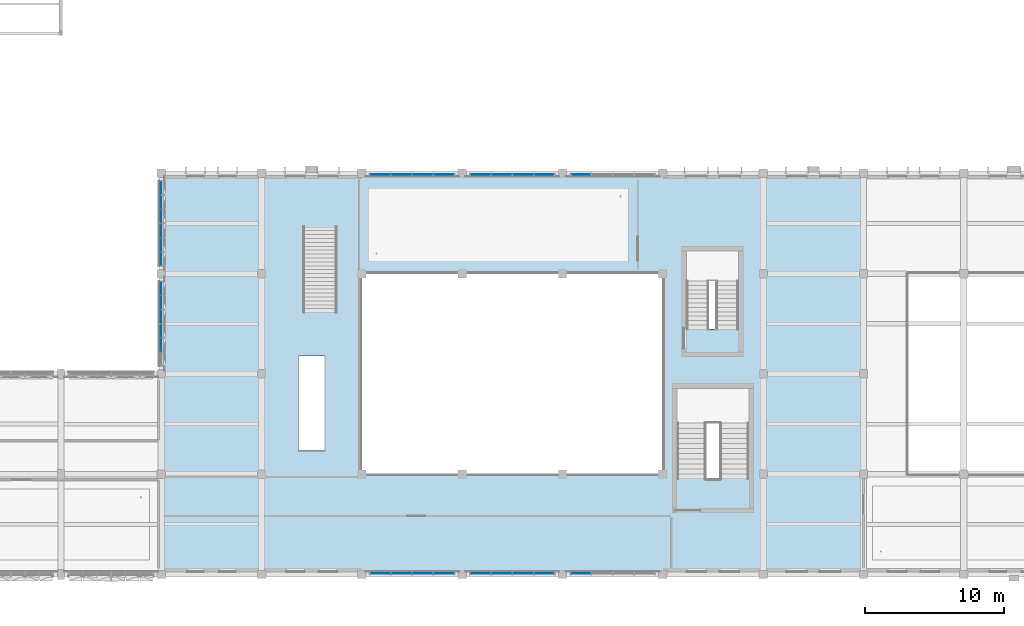
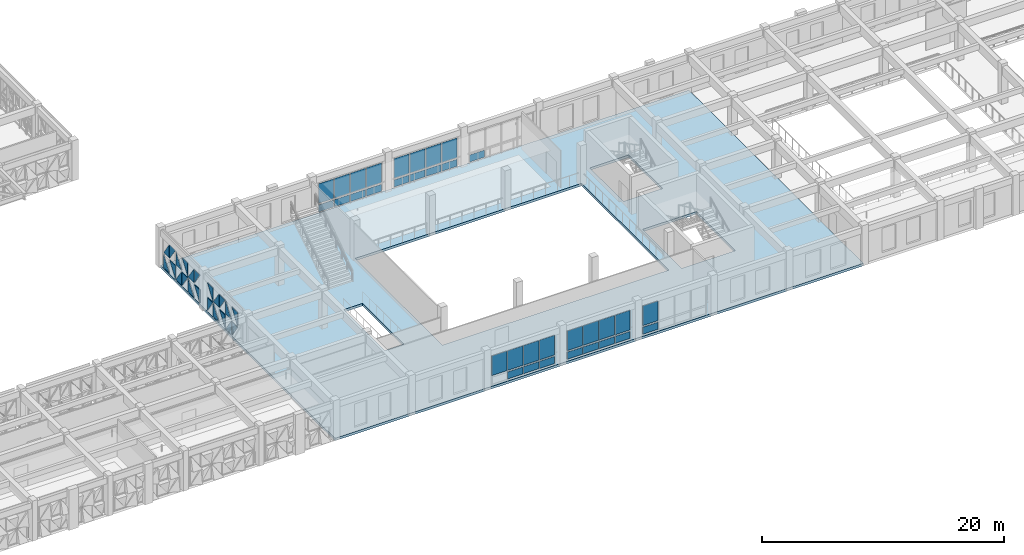
# One storey, part 36 of 88: 56 plates, 1 slab, 8 elements without a shape of their own.
"""IFC4 building model written with IfcOpenShell, lengths in metres."""

from ifc_helpers import new_model, si_unit, direction, frame, origin, origin_2d, place, context, subcontext, project, spatial, polyline, rectangle, outline, extrude, material, layer, layer_set, type_object, element, aggregate, save


model = new_model("IFC4")

# Units and contexts
model_context = context("Model", 3, precision=1e-05, world=origin(), true_north=direction((0.0, 1.0)))
body_context = subcontext(model_context, "Body", "Model", "MODEL_VIEW")
ifc_project = project(units=[si_unit("LENGTHUNIT", "METRE"), si_unit("AREAUNIT", "SQUARE_METRE"), si_unit("VOLUMEUNIT", "CUBIC_METRE"), si_unit("PLANEANGLEUNIT", "RADIAN"), si_unit("MASSUNIT", "GRAM", prefix="KILO")], contexts=[model_context])

# Site, building, storey
site_placement = place(None, origin())
site = spatial("IfcSite", under=ifc_project, at=site_placement, CompositionType="ELEMENT")
building_placement = place(site_placement, origin())
building = spatial("IfcBuilding", under=site, at=building_placement, Name="Alvorim Cloister Faculty of Sciences", CompositionType="ELEMENT")
storey_placement = place(building_placement, frame((0.0, 0.0, 4.5)))
storey = spatial("IfcBuildingStorey", under=building, at=storey_placement, Name="L01", CompositionType="ELEMENT", Elevation=4.5)

# Curtain wall, plates
ifc_material_1 = material(Name="Aluminium and Low-E Glass Curtain Wall", Category="aluminium")
curtain_wall_type_1 = type_object("IfcCurtainWallType", Name="CW-GLZ-6120x3170", PredefinedType="USERDEFINED", material=ifc_material_1)
curtain_wall_1_placement = place(storey_placement, origin())
curtain_wall_1 = element("IfcCurtainWall", 1, at=curtain_wall_1_placement, inside=storey, type_object=curtain_wall_type_1, Name="L01 Entrance and Atrium Glazed Curtain Wall CW-0035", ObjectType="UNITISED CURTAIN WALL", PredefinedType="USERDEFINED")
ifc_material_2 = material(Name="Double Low-E Laminated Glass", Category="glass")
ifc_layer_1 = layer(ifc_material_2, 0.031982421875)
ifc_layer_set_1 = layer_set([ifc_layer_1], Name="Double Low-E Laminated Glass")
plate_type_1 = type_object("IfcPlateType", Name="PN-GLZ-32", PredefinedType="CURTAIN_PANEL", material=ifc_layer_set_1)
plate_1_placement = place(storey_placement, frame((87.7236328125, 28.7099609375, 0.159912109375), z_axis=(0.0, 0.0, 1.0), x_axis=(1.0, 0.0, 0.0)))
plate_1 = element("IfcPlate", 2, at=plate_1_placement, type_object=plate_type_1, Name="CW-04 panel 1.1", PredefinedType="CURTAIN_PANEL", context=body_context, shape_type="SweptSolid", body=[
    extrude(rectangle(XDim=1.41748046875, YDim=0.031982421875, at=origin_2d()), origin(), (0.0, 0.0, 1.0), 0.7099609375),
])
plate_2_placement = place(storey_placement, frame((87.7236328125, 28.7099609375, 1.030029296875), z_axis=(0.0, 0.0, 1.0), x_axis=(1.0, 0.0, 0.0)))
plate_2 = element("IfcPlate", 3, at=plate_2_placement, type_object=plate_type_1, Name="CW-04 panel 1.2", PredefinedType="CURTAIN_PANEL", context=body_context, shape_type="SweptSolid", body=[
    extrude(rectangle(XDim=1.41748046875, YDim=0.031982421875, at=origin_2d()), origin(), (0.0, 0.0, 1.0), 1.97998046875),
])
plate_3_placement = place(storey_placement, frame((89.235107421875, 28.7099609375, 0.159912109375), z_axis=(0.0, 0.0, 1.0), x_axis=(1.0, 0.0, 0.0)))
plate_3 = element("IfcPlate", 4, at=plate_3_placement, type_object=plate_type_1, Name="CW-04 panel 2.1", PredefinedType="CURTAIN_PANEL", context=body_context, shape_type="SweptSolid", body=[
    extrude(rectangle(XDim=1.455078125, YDim=0.031982421875, at=origin_2d()), origin(), (0.0, 0.0, 1.0), 0.7099609375),
])
plate_4_placement = place(storey_placement, frame((89.235107421875, 28.7099609375, 1.030029296875), z_axis=(0.0, 0.0, 1.0), x_axis=(1.0, 0.0, 0.0)))
plate_4 = element("IfcPlate", 5, at=plate_4_placement, type_object=plate_type_1, Name="CW-04 panel 2.2", PredefinedType="CURTAIN_PANEL", context=body_context, shape_type="SweptSolid", body=[
    extrude(rectangle(XDim=1.455078125, YDim=0.031982421875, at=origin_2d()), origin(), (0.0, 0.0, 1.0), 1.97998046875),
])
plate_5_placement = place(storey_placement, frame((90.764892578125, 28.7099609375, 0.159912109375), z_axis=(0.0, 0.0, 1.0), x_axis=(1.0, 0.0, 0.0)))
plate_5 = element("IfcPlate", 6, at=plate_5_placement, type_object=plate_type_1, Name="CW-04 panel 3.1", PredefinedType="CURTAIN_PANEL", context=body_context, shape_type="SweptSolid", body=[
    extrude(rectangle(XDim=1.455078125, YDim=0.031982421875, at=origin_2d()), origin(), (0.0, 0.0, 1.0), 0.7099609375),
])
plate_6_placement = place(storey_placement, frame((90.764892578125, 28.7099609375, 1.030029296875), z_axis=(0.0, 0.0, 1.0), x_axis=(1.0, 0.0, 0.0)))
plate_6 = element("IfcPlate", 7, at=plate_6_placement, type_object=plate_type_1, Name="CW-04 panel 3.2", PredefinedType="CURTAIN_PANEL", context=body_context, shape_type="SweptSolid", body=[
    extrude(rectangle(XDim=1.455078125, YDim=0.031982421875, at=origin_2d()), origin(), (0.0, 0.0, 1.0), 1.97998046875),
])
plate_7_placement = place(storey_placement, frame((92.2763671875, 28.7099609375, 0.159912109375), z_axis=(0.0, 0.0, 1.0), x_axis=(1.0, 0.0, 0.0)))
plate_7 = element("IfcPlate", 8, at=plate_7_placement, type_object=plate_type_1, Name="CW-04 panel 4.1", PredefinedType="CURTAIN_PANEL", context=body_context, shape_type="SweptSolid", body=[
    extrude(rectangle(XDim=1.41748046875, YDim=0.031982421875, at=origin_2d()), origin(), (0.0, 0.0, 1.0), 0.7099609375),
])
plate_8_placement = place(storey_placement, frame((92.2763671875, 28.7099609375, 1.030029296875), z_axis=(0.0, 0.0, 1.0), x_axis=(1.0, 0.0, 0.0)))
plate_8 = element("IfcPlate", 9, at=plate_8_placement, type_object=plate_type_1, Name="CW-04 panel 4.2", PredefinedType="CURTAIN_PANEL", context=body_context, shape_type="SweptSolid", body=[
    extrude(rectangle(XDim=1.41748046875, YDim=0.031982421875, at=origin_2d()), origin(), (0.0, 0.0, 1.0), 1.97998046875),
])
aggregate(curtain_wall_1, [plate_1, plate_2, plate_3, plate_4, plate_5, plate_6, plate_7, plate_8])

curtain_wall_2_placement = place(storey_placement, origin())
curtain_wall_2 = element("IfcCurtainWall", 10, at=curtain_wall_2_placement, inside=storey, type_object=curtain_wall_type_1, Name="L01 Entrance and Atrium Glazed Curtain Wall CW-0038", ObjectType="UNITISED CURTAIN WALL", PredefinedType="USERDEFINED")
plate_9_placement = place(storey_placement, frame((87.7236328125, 0.090087890625, 0.159912109375), z_axis=(0.0, 0.0, 1.0), x_axis=(1.0, 0.0, 0.0)))
plate_9 = element("IfcPlate", 11, at=plate_9_placement, type_object=plate_type_1, Name="CW-04 panel 1.1", PredefinedType="CURTAIN_PANEL", context=body_context, shape_type="SweptSolid", body=[
    extrude(rectangle(XDim=1.41748046875, YDim=0.031982421875, at=origin_2d()), origin(), (0.0, 0.0, 1.0), 0.7099609375),
])
plate_10_placement = place(storey_placement, frame((87.7236328125, 0.090087890625, 1.030029296875), z_axis=(0.0, 0.0, 1.0), x_axis=(1.0, 0.0, 0.0)))
plate_10 = element("IfcPlate", 12, at=plate_10_placement, type_object=plate_type_1, Name="CW-04 panel 1.2", PredefinedType="CURTAIN_PANEL", context=body_context, shape_type="SweptSolid", body=[
    extrude(rectangle(XDim=1.41748046875, YDim=0.031982421875, at=origin_2d()), origin(), (0.0, 0.0, 1.0), 1.97998046875),
])
plate_11_placement = place(storey_placement, frame((89.235107421875, 0.090087890625, 0.159912109375), z_axis=(0.0, 0.0, 1.0), x_axis=(1.0, 0.0, 0.0)))
plate_11 = element("IfcPlate", 13, at=plate_11_placement, type_object=plate_type_1, Name="CW-04 panel 2.1", PredefinedType="CURTAIN_PANEL", context=body_context, shape_type="SweptSolid", body=[
    extrude(rectangle(XDim=1.455078125, YDim=0.031982421875, at=origin_2d()), origin(), (0.0, 0.0, 1.0), 0.7099609375),
])
plate_12_placement = place(storey_placement, frame((89.235107421875, 0.090087890625, 1.030029296875), z_axis=(0.0, 0.0, 1.0), x_axis=(1.0, 0.0, 0.0)))
plate_12 = element("IfcPlate", 14, at=plate_12_placement, type_object=plate_type_1, Name="CW-04 panel 2.2", PredefinedType="CURTAIN_PANEL", context=body_context, shape_type="SweptSolid", body=[
    extrude(rectangle(XDim=1.455078125, YDim=0.031982421875, at=origin_2d()), origin(), (0.0, 0.0, 1.0), 1.97998046875),
])
plate_13_placement = place(storey_placement, frame((90.764892578125, 0.090087890625, 0.159912109375), z_axis=(0.0, 0.0, 1.0), x_axis=(1.0, 0.0, 0.0)))
plate_13 = element("IfcPlate", 15, at=plate_13_placement, type_object=plate_type_1, Name="CW-04 panel 3.1", PredefinedType="CURTAIN_PANEL", context=body_context, shape_type="SweptSolid", body=[
    extrude(rectangle(XDim=1.455078125, YDim=0.031982421875, at=origin_2d()), origin(), (0.0, 0.0, 1.0), 0.7099609375),
])
plate_14_placement = place(storey_placement, frame((90.764892578125, 0.090087890625, 1.030029296875), z_axis=(0.0, 0.0, 1.0), x_axis=(1.0, 0.0, 0.0)))
plate_14 = element("IfcPlate", 16, at=plate_14_placement, type_object=plate_type_1, Name="CW-04 panel 3.2", PredefinedType="CURTAIN_PANEL", context=body_context, shape_type="SweptSolid", body=[
    extrude(rectangle(XDim=1.455078125, YDim=0.031982421875, at=origin_2d()), origin(), (0.0, 0.0, 1.0), 1.97998046875),
])
plate_15_placement = place(storey_placement, frame((92.2763671875, 0.090087890625, 0.159912109375), z_axis=(0.0, 0.0, 1.0), x_axis=(1.0, 0.0, 0.0)))
plate_15 = element("IfcPlate", 17, at=plate_15_placement, type_object=plate_type_1, Name="CW-04 panel 4.1", PredefinedType="CURTAIN_PANEL", context=body_context, shape_type="SweptSolid", body=[
    extrude(rectangle(XDim=1.41748046875, YDim=0.031982421875, at=origin_2d()), origin(), (0.0, 0.0, 1.0), 0.7099609375),
])
plate_16_placement = place(storey_placement, frame((92.2763671875, 0.090087890625, 1.030029296875), z_axis=(0.0, 0.0, 1.0), x_axis=(1.0, 0.0, 0.0)))
plate_16 = element("IfcPlate", 18, at=plate_16_placement, type_object=plate_type_1, Name="CW-04 panel 4.2", PredefinedType="CURTAIN_PANEL", context=body_context, shape_type="SweptSolid", body=[
    extrude(rectangle(XDim=1.41748046875, YDim=0.031982421875, at=origin_2d()), origin(), (0.0, 0.0, 1.0), 1.97998046875),
])
aggregate(curtain_wall_2, [plate_9, plate_10, plate_11, plate_12, plate_13, plate_14, plate_15, plate_16])

curtain_wall_type_2 = type_object("IfcCurtainWallType", Name="CW-TRI-6120x3170", PredefinedType="USERDEFINED", material=ifc_material_1)
curtain_wall_3_placement = place(storey_placement, origin())
curtain_wall_3 = element("IfcCurtainWall", 19, at=curtain_wall_3_placement, inside=storey, type_object=curtain_wall_type_2, Name="L01 Diagonal Cassette Curtain Wall CW-0032", ObjectType="UNITISED CURTAIN WALL", PredefinedType="USERDEFINED")
ifc_layer_2 = layer(ifc_material_2, 0.0400390625)
ifc_layer_set_2 = layer_set([ifc_layer_2], Name="Double Low-E Laminated Glass")
plate_type_2 = type_object("IfcPlateType", Name="PN-GLZ-40", PredefinedType="CURTAIN_PANEL", material=ifc_layer_set_2)
plate_17_placement = place(storey_placement, frame((64.77490234375, 15.99755859375, 0.159912109375), z_axis=(0.0, 0.0, 1.0), x_axis=(0.0, 1.0, 0.0)))
plate_17 = element("IfcPlate", 20, at=plate_17_placement, type_object=plate_type_2, Name="Diagonal Glazed Triangle TRI-TR", PredefinedType="CURTAIN_PANEL", context=body_context, shape_type="SweptSolid", body=[
    extrude(outline(polyline([(0.945068359375, 0.001953125), (0.945068359375, 1.344970703125), (0.001953125, 1.344970703125), (0.945068359375, 0.001953125)])), frame((0.0, 0.02490234375, 0.0), z_axis=(0.0, -1.0, 0.0), x_axis=(1.0, 0.0, 0.0)), (0.0, 0.0, 1.0), 0.050048828125),
])
plate_18_placement = place(storey_placement, frame((64.77490234375, 15.99755859375, 1.6650390625), z_axis=(0.0, 0.0, 1.0), x_axis=(0.0, 1.0, 0.0)))
plate_18 = element("IfcPlate", 21, at=plate_18_placement, type_object=plate_type_2, Name="Diagonal Glazed Triangle TRI-TL", PredefinedType="CURTAIN_PANEL", context=body_context, shape_type="SweptSolid", body=[
    extrude(outline(polyline([(0.943115234375, 1.344970703125), (0.0, 1.344970703125), (0.0, 0.001953125), (0.943115234375, 1.344970703125)])), frame((0.0, 0.02490234375, 0.0), z_axis=(0.0, -1.0, 0.0), x_axis=(1.0, 0.0, 0.0)), (0.0, 0.0, 1.0), 0.050048828125),
])
plate_19_placement = place(storey_placement, frame((64.77490234375, 17.017578125, 0.159912109375), z_axis=(0.0, 0.0, 1.0), x_axis=(0.0, 1.0, 0.0)))
plate_19 = element("IfcPlate", 22, at=plate_19_placement, type_object=plate_type_2, Name="Diagonal Glazed Triangle TRI-BL", PredefinedType="CURTAIN_PANEL", context=body_context, shape_type="SweptSolid", body=[
    extrude(outline(polyline([(0.0, 0.0), (0.943115234375, 0.0), (0.0, 1.343017578125), (0.0, 0.0)])), frame((0.0, 0.02490234375, 0.0), z_axis=(0.0, -1.0, 0.0), x_axis=(1.0, 0.0, 0.0)), (0.0, 0.0, 1.0), 0.050048828125),
])
plate_20_placement = place(storey_placement, frame((64.77490234375, 17.017578125, 1.6650390625), z_axis=(0.0, 0.0, 1.0), x_axis=(0.0, 1.0, 0.0)))
plate_20 = element("IfcPlate", 23, at=plate_20_placement, type_object=plate_type_2, Name="Diagonal Glazed Triangle TRI-BR", PredefinedType="CURTAIN_PANEL", context=body_context, shape_type="SweptSolid", body=[
    extrude(outline(polyline([(0.001953125, 0.0), (0.945068359375, 0.0), (0.945068359375, 1.343017578125), (0.001953125, 0.0)])), frame((0.0, 0.02490234375, 0.0), z_axis=(0.0, -1.0, 0.0), x_axis=(1.0, 0.0, 0.0)), (0.0, 0.0, 1.0), 0.050048828125),
])
plate_21_placement = place(storey_placement, frame((64.77490234375, 18.03759765625, 0.159912109375), z_axis=(0.0, 0.0, 1.0), x_axis=(0.0, 1.0, 0.0)))
plate_21 = element("IfcPlate", 24, at=plate_21_placement, type_object=plate_type_2, Name="Diagonal Glazed Triangle TRI-TL", PredefinedType="CURTAIN_PANEL", context=body_context, shape_type="SweptSolid", body=[
    extrude(outline(polyline([(0.943115234375, 1.344970703125), (0.0, 1.344970703125), (0.0, 0.001953125), (0.943115234375, 1.344970703125)])), frame((0.0, 0.02490234375, 0.0), z_axis=(0.0, -1.0, 0.0), x_axis=(1.0, 0.0, 0.0)), (0.0, 0.0, 1.0), 0.050048828125),
])
plate_22_placement = place(storey_placement, frame((64.77490234375, 18.03759765625, 1.6650390625), z_axis=(0.0, 0.0, 1.0), x_axis=(0.0, 1.0, 0.0)))
plate_22 = element("IfcPlate", 25, at=plate_22_placement, type_object=plate_type_2, Name="Diagonal Glazed Triangle TRI-TR", PredefinedType="CURTAIN_PANEL", context=body_context, shape_type="SweptSolid", body=[
    extrude(outline(polyline([(0.945068359375, 0.001953125), (0.945068359375, 1.344970703125), (0.001953125, 1.344970703125), (0.945068359375, 0.001953125)])), frame((0.0, 0.02490234375, 0.0), z_axis=(0.0, -1.0, 0.0), x_axis=(1.0, 0.0, 0.0)), (0.0, 0.0, 1.0), 0.050048828125),
])
plate_23_placement = place(storey_placement, frame((64.77490234375, 19.0576171875, 0.159912109375), z_axis=(0.0, 0.0, 1.0), x_axis=(0.0, 1.0, 0.0)))
plate_23 = element("IfcPlate", 26, at=plate_23_placement, type_object=plate_type_2, Name="Diagonal Glazed Triangle TRI-BR", PredefinedType="CURTAIN_PANEL", context=body_context, shape_type="SweptSolid", body=[
    extrude(outline(polyline([(0.001953125, 0.0), (0.945068359375, 0.0), (0.945068359375, 1.343017578125), (0.001953125, 0.0)])), frame((0.0, 0.02490234375, 0.0), z_axis=(0.0, -1.0, 0.0), x_axis=(1.0, 0.0, 0.0)), (0.0, 0.0, 1.0), 0.050048828125),
])
plate_24_placement = place(storey_placement, frame((64.77490234375, 19.0576171875, 1.6650390625), z_axis=(0.0, 0.0, 1.0), x_axis=(0.0, 1.0, 0.0)))
plate_24 = element("IfcPlate", 27, at=plate_24_placement, type_object=plate_type_2, Name="Diagonal Glazed Triangle TRI-BL", PredefinedType="CURTAIN_PANEL", context=body_context, shape_type="SweptSolid", body=[
    extrude(outline(polyline([(0.0, 0.0), (0.943115234375, 0.0), (0.0, 1.343017578125), (0.0, 0.0)])), frame((0.0, 0.02490234375, 0.0), z_axis=(0.0, -1.0, 0.0), x_axis=(1.0, 0.0, 0.0)), (0.0, 0.0, 1.0), 0.050048828125),
])
plate_25_placement = place(storey_placement, frame((64.77490234375, 20.077392578125, 0.159912109375), z_axis=(0.0, 0.0, 1.0), x_axis=(0.0, 1.0, 0.0)))
plate_25 = element("IfcPlate", 28, at=plate_25_placement, type_object=plate_type_2, Name="Diagonal Glazed Triangle TRI-TR", PredefinedType="CURTAIN_PANEL", context=body_context, shape_type="SweptSolid", body=[
    extrude(outline(polyline([(0.907470703125, 0.001953125), (0.907470703125, 1.344970703125), (0.001953125, 1.344970703125), (0.907470703125, 0.001953125)])), frame((0.0, 0.02490234375, 0.0), z_axis=(0.0, -1.0, 0.0), x_axis=(1.0, 0.0, 0.0)), (0.0, 0.0, 1.0), 0.050048828125),
])
plate_26_placement = place(storey_placement, frame((64.77490234375, 20.077392578125, 1.6650390625), z_axis=(0.0, 0.0, 1.0), x_axis=(0.0, 1.0, 0.0)))
plate_26 = element("IfcPlate", 29, at=plate_26_placement, type_object=plate_type_2, Name="Diagonal Glazed Triangle TRI-TL", PredefinedType="CURTAIN_PANEL", context=body_context, shape_type="SweptSolid", body=[
    extrude(outline(polyline([(0.905517578125, 1.344970703125), (0.0, 1.344970703125), (0.0, 0.001953125), (0.905517578125, 1.344970703125)])), frame((0.0, 0.02490234375, 0.0), z_axis=(0.0, -1.0, 0.0), x_axis=(1.0, 0.0, 0.0)), (0.0, 0.0, 1.0), 0.050048828125),
])
aggregate(curtain_wall_3, [plate_17, plate_18, plate_19, plate_20, plate_21, plate_22, plate_23, plate_24, plate_25, plate_26])

curtain_wall_4_placement = place(storey_placement, origin())
curtain_wall_4 = element("IfcCurtainWall", 30, at=curtain_wall_4_placement, inside=storey, type_object=curtain_wall_type_2, Name="L01 Diagonal Cassette Curtain Wall CW-0033", ObjectType="UNITISED CURTAIN WALL", PredefinedType="USERDEFINED")
plate_27_placement = place(storey_placement, frame((64.77490234375, 22.215087890625, 0.159912109375), z_axis=(0.0, 0.0, 1.0), x_axis=(0.0, 1.0, 0.0)))
plate_27 = element("IfcPlate", 31, at=plate_27_placement, type_object=plate_type_2, Name="Diagonal Glazed Triangle TRI-TL", PredefinedType="CURTAIN_PANEL", context=body_context, shape_type="SweptSolid", body=[
    extrude(outline(polyline([(0.905517578125, 1.344970703125), (0.0, 1.344970703125), (0.0, 0.001953125), (0.905517578125, 1.344970703125)])), frame((0.0, 0.02490234375, 0.0), z_axis=(0.0, -1.0, 0.0), x_axis=(1.0, 0.0, 0.0)), (0.0, 0.0, 1.0), 0.050048828125),
])
plate_28_placement = place(storey_placement, frame((64.77490234375, 22.215087890625, 1.6650390625), z_axis=(0.0, 0.0, 1.0), x_axis=(0.0, 1.0, 0.0)))
plate_28 = element("IfcPlate", 32, at=plate_28_placement, type_object=plate_type_2, Name="Diagonal Glazed Triangle TRI-TR", PredefinedType="CURTAIN_PANEL", context=body_context, shape_type="SweptSolid", body=[
    extrude(outline(polyline([(0.907470703125, 0.001953125), (0.907470703125, 1.344970703125), (0.001953125, 1.344970703125), (0.907470703125, 0.001953125)])), frame((0.0, 0.02490234375, 0.0), z_axis=(0.0, -1.0, 0.0), x_axis=(1.0, 0.0, 0.0)), (0.0, 0.0, 1.0), 0.050048828125),
])
plate_29_placement = place(storey_placement, frame((64.77490234375, 23.197509765625, 0.159912109375), z_axis=(0.0, 0.0, 1.0), x_axis=(0.0, 1.0, 0.0)))
plate_29 = element("IfcPlate", 33, at=plate_29_placement, type_object=plate_type_2, Name="Diagonal Glazed Triangle TRI-BR", PredefinedType="CURTAIN_PANEL", context=body_context, shape_type="SweptSolid", body=[
    extrude(outline(polyline([(0.001953125, 0.0), (0.945068359375, 0.0), (0.945068359375, 1.343017578125), (0.001953125, 0.0)])), frame((0.0, 0.02490234375, 0.0), z_axis=(0.0, -1.0, 0.0), x_axis=(1.0, 0.0, 0.0)), (0.0, 0.0, 1.0), 0.050048828125),
])
plate_30_placement = place(storey_placement, frame((64.77490234375, 23.197509765625, 1.6650390625), z_axis=(0.0, 0.0, 1.0), x_axis=(0.0, 1.0, 0.0)))
plate_30 = element("IfcPlate", 34, at=plate_30_placement, type_object=plate_type_2, Name="Diagonal Glazed Triangle TRI-BL", PredefinedType="CURTAIN_PANEL", context=body_context, shape_type="SweptSolid", body=[
    extrude(outline(polyline([(0.0, 0.0), (0.943115234375, 0.0), (0.0, 1.343017578125), (0.0, 0.0)])), frame((0.0, 0.02490234375, 0.0), z_axis=(0.0, -1.0, 0.0), x_axis=(1.0, 0.0, 0.0)), (0.0, 0.0, 1.0), 0.050048828125),
])
plate_31_placement = place(storey_placement, frame((64.77490234375, 24.217529296875, 0.159912109375), z_axis=(0.0, 0.0, 1.0), x_axis=(0.0, 1.0, 0.0)))
plate_31 = element("IfcPlate", 35, at=plate_31_placement, type_object=plate_type_2, Name="Diagonal Glazed Triangle TRI-TR", PredefinedType="CURTAIN_PANEL", context=body_context, shape_type="SweptSolid", body=[
    extrude(outline(polyline([(0.945068359375, 0.001953125), (0.945068359375, 1.344970703125), (0.001953125, 1.344970703125), (0.945068359375, 0.001953125)])), frame((0.0, 0.02490234375, 0.0), z_axis=(0.0, -1.0, 0.0), x_axis=(1.0, 0.0, 0.0)), (0.0, 0.0, 1.0), 0.050048828125),
])
plate_32_placement = place(storey_placement, frame((64.77490234375, 24.217529296875, 1.6650390625), z_axis=(0.0, 0.0, 1.0), x_axis=(0.0, 1.0, 0.0)))
plate_32 = element("IfcPlate", 36, at=plate_32_placement, type_object=plate_type_2, Name="Diagonal Glazed Triangle TRI-TL", PredefinedType="CURTAIN_PANEL", context=body_context, shape_type="SweptSolid", body=[
    extrude(outline(polyline([(0.943115234375, 1.344970703125), (0.0, 1.344970703125), (0.0, 0.001953125), (0.943115234375, 1.344970703125)])), frame((0.0, 0.02490234375, 0.0), z_axis=(0.0, -1.0, 0.0), x_axis=(1.0, 0.0, 0.0)), (0.0, 0.0, 1.0), 0.050048828125),
])
plate_33_placement = place(storey_placement, frame((64.77490234375, 25.237548828125, 0.159912109375), z_axis=(0.0, 0.0, 1.0), x_axis=(0.0, 1.0, 0.0)))
plate_33 = element("IfcPlate", 37, at=plate_33_placement, type_object=plate_type_2, Name="Diagonal Glazed Triangle TRI-BL", PredefinedType="CURTAIN_PANEL", context=body_context, shape_type="SweptSolid", body=[
    extrude(outline(polyline([(0.0, 0.0), (0.943115234375, 0.0), (0.0, 1.343017578125), (0.0, 0.0)])), frame((0.0, 0.02490234375, 0.0), z_axis=(0.0, -1.0, 0.0), x_axis=(1.0, 0.0, 0.0)), (0.0, 0.0, 1.0), 0.050048828125),
])
plate_34_placement = place(storey_placement, frame((64.77490234375, 25.237548828125, 1.6650390625), z_axis=(0.0, 0.0, 1.0), x_axis=(0.0, 1.0, 0.0)))
plate_34 = element("IfcPlate", 38, at=plate_34_placement, type_object=plate_type_2, Name="Diagonal Glazed Triangle TRI-BR", PredefinedType="CURTAIN_PANEL", context=body_context, shape_type="SweptSolid", body=[
    extrude(outline(polyline([(0.001953125, 0.0), (0.945068359375, 0.0), (0.945068359375, 1.343017578125), (0.001953125, 0.0)])), frame((0.0, 0.02490234375, 0.0), z_axis=(0.0, -1.0, 0.0), x_axis=(1.0, 0.0, 0.0)), (0.0, 0.0, 1.0), 0.050048828125),
])
plate_35_placement = place(storey_placement, frame((64.77490234375, 26.257568359375, 0.159912109375), z_axis=(0.0, 0.0, 1.0), x_axis=(0.0, 1.0, 0.0)))
plate_35 = element("IfcPlate", 39, at=plate_35_placement, type_object=plate_type_2, Name="Diagonal Glazed Triangle TRI-TL", PredefinedType="CURTAIN_PANEL", context=body_context, shape_type="SweptSolid", body=[
    extrude(outline(polyline([(0.943115234375, 1.344970703125), (0.0, 1.344970703125), (0.0, 0.001953125), (0.943115234375, 1.344970703125)])), frame((0.0, 0.02490234375, 0.0), z_axis=(0.0, -1.0, 0.0), x_axis=(1.0, 0.0, 0.0)), (0.0, 0.0, 1.0), 0.050048828125),
])
plate_36_placement = place(storey_placement, frame((64.77490234375, 26.257568359375, 1.6650390625), z_axis=(0.0, 0.0, 1.0), x_axis=(0.0, 1.0, 0.0)))
plate_36 = element("IfcPlate", 40, at=plate_36_placement, type_object=plate_type_2, Name="Diagonal Glazed Triangle TRI-TR", PredefinedType="CURTAIN_PANEL", context=body_context, shape_type="SweptSolid", body=[
    extrude(outline(polyline([(0.945068359375, 0.001953125), (0.945068359375, 1.344970703125), (0.001953125, 1.344970703125), (0.945068359375, 0.001953125)])), frame((0.0, 0.02490234375, 0.0), z_axis=(0.0, -1.0, 0.0), x_axis=(1.0, 0.0, 0.0)), (0.0, 0.0, 1.0), 0.050048828125),
])
plate_37_placement = place(storey_placement, frame((64.77490234375, 27.277587890625, 0.159912109375), z_axis=(0.0, 0.0, 1.0), x_axis=(0.0, 1.0, 0.0)))
plate_37 = element("IfcPlate", 41, at=plate_37_placement, type_object=plate_type_2, Name="Diagonal Glazed Triangle TRI-BR", PredefinedType="CURTAIN_PANEL", context=body_context, shape_type="SweptSolid", body=[
    extrude(outline(polyline([(0.001953125, 0.0), (0.907470703125, 0.0), (0.907470703125, 1.343017578125), (0.001953125, 0.0)])), frame((0.0, 0.02490234375, 0.0), z_axis=(0.0, -1.0, 0.0), x_axis=(1.0, 0.0, 0.0)), (0.0, 0.0, 1.0), 0.050048828125),
])
plate_38_placement = place(storey_placement, frame((64.77490234375, 27.277587890625, 1.6650390625), z_axis=(0.0, 0.0, 1.0), x_axis=(0.0, 1.0, 0.0)))
plate_38 = element("IfcPlate", 42, at=plate_38_placement, type_object=plate_type_2, Name="Diagonal Glazed Triangle TRI-BL", PredefinedType="CURTAIN_PANEL", context=body_context, shape_type="SweptSolid", body=[
    extrude(outline(polyline([(0.0, 0.0), (0.905517578125, 0.0), (0.0, 1.343017578125), (0.0, 0.0)])), frame((0.0, 0.02490234375, 0.0), z_axis=(0.0, -1.0, 0.0), x_axis=(1.0, 0.0, 0.0)), (0.0, 0.0, 1.0), 0.050048828125),
])
aggregate(curtain_wall_4, [plate_27, plate_28, plate_29, plate_30, plate_31, plate_32, plate_33, plate_34, plate_35, plate_36, plate_37, plate_38])

curtain_wall_5_placement = place(storey_placement, origin())
curtain_wall_5 = element("IfcCurtainWall", 43, at=curtain_wall_5_placement, inside=storey, type_object=curtain_wall_type_1, Name="L01 Entrance and Atrium Glazed Curtain Wall CW-0034", ObjectType="UNITISED CURTAIN WALL", PredefinedType="USERDEFINED")
plate_39_placement = place(storey_placement, frame((80.523681640625, 28.7099609375, 0.159912109375), z_axis=(0.0, 0.0, 1.0), x_axis=(1.0, 0.0, 0.0)))
plate_39 = element("IfcPlate", 44, at=plate_39_placement, type_object=plate_type_2, Name="CW-04 panel 1.1", PredefinedType="CURTAIN_PANEL", context=body_context, shape_type="SweptSolid", body=[
    extrude(rectangle(XDim=1.41748046875, YDim=0.0400390625, at=origin_2d()), origin(), (0.0, 0.0, 1.0), 0.7099609375),
])
plate_40_placement = place(storey_placement, frame((80.523681640625, 28.7099609375, 1.030029296875), z_axis=(0.0, 0.0, 1.0), x_axis=(1.0, 0.0, 0.0)))
plate_40 = element("IfcPlate", 45, at=plate_40_placement, type_object=plate_type_2, Name="CW-04 panel 1.2", PredefinedType="CURTAIN_PANEL", context=body_context, shape_type="SweptSolid", body=[
    extrude(rectangle(XDim=1.41748046875, YDim=0.0400390625, at=origin_2d()), origin(), (0.0, 0.0, 1.0), 1.97998046875),
])
plate_41_placement = place(storey_placement, frame((82.034912109375, 28.7099609375, 0.159912109375), z_axis=(0.0, 0.0, 1.0), x_axis=(1.0, 0.0, 0.0)))
plate_41 = element("IfcPlate", 46, at=plate_41_placement, type_object=plate_type_2, Name="CW-04 panel 2.1", PredefinedType="CURTAIN_PANEL", context=body_context, shape_type="SweptSolid", body=[
    extrude(rectangle(XDim=1.455078125, YDim=0.0400390625, at=origin_2d()), origin(), (0.0, 0.0, 1.0), 0.7099609375),
])
plate_42_placement = place(storey_placement, frame((82.034912109375, 28.7099609375, 1.030029296875), z_axis=(0.0, 0.0, 1.0), x_axis=(1.0, 0.0, 0.0)))
plate_42 = element("IfcPlate", 47, at=plate_42_placement, type_object=plate_type_2, Name="CW-04 panel 2.2", PredefinedType="CURTAIN_PANEL", context=body_context, shape_type="SweptSolid", body=[
    extrude(rectangle(XDim=1.455078125, YDim=0.0400390625, at=origin_2d()), origin(), (0.0, 0.0, 1.0), 1.97998046875),
])
plate_43_placement = place(storey_placement, frame((83.56494140625, 28.7099609375, 0.159912109375), z_axis=(0.0, 0.0, 1.0), x_axis=(1.0, 0.0, 0.0)))
plate_43 = element("IfcPlate", 48, at=plate_43_placement, type_object=plate_type_2, Name="CW-04 panel 3.1", PredefinedType="CURTAIN_PANEL", context=body_context, shape_type="SweptSolid", body=[
    extrude(rectangle(XDim=1.455078125, YDim=0.0400390625, at=origin_2d()), origin(), (0.0, 0.0, 1.0), 0.7099609375),
])
plate_44_placement = place(storey_placement, frame((83.56494140625, 28.7099609375, 1.030029296875), z_axis=(0.0, 0.0, 1.0), x_axis=(1.0, 0.0, 0.0)))
plate_44 = element("IfcPlate", 49, at=plate_44_placement, type_object=plate_type_2, Name="CW-04 panel 3.2", PredefinedType="CURTAIN_PANEL", context=body_context, shape_type="SweptSolid", body=[
    extrude(rectangle(XDim=1.455078125, YDim=0.0400390625, at=origin_2d()), origin(), (0.0, 0.0, 1.0), 1.97998046875),
])
plate_45_placement = place(storey_placement, frame((85.076171875, 28.7099609375, 0.159912109375), z_axis=(0.0, 0.0, 1.0), x_axis=(1.0, 0.0, 0.0)))
plate_45 = element("IfcPlate", 50, at=plate_45_placement, type_object=plate_type_2, Name="CW-04 panel 4.1", PredefinedType="CURTAIN_PANEL", context=body_context, shape_type="SweptSolid", body=[
    extrude(rectangle(XDim=1.41748046875, YDim=0.0400390625, at=origin_2d()), origin(), (0.0, 0.0, 1.0), 0.7099609375),
])
plate_46_placement = place(storey_placement, frame((85.076171875, 28.7099609375, 1.030029296875), z_axis=(0.0, 0.0, 1.0), x_axis=(1.0, 0.0, 0.0)))
plate_46 = element("IfcPlate", 51, at=plate_46_placement, type_object=plate_type_2, Name="CW-04 panel 4.2", PredefinedType="CURTAIN_PANEL", context=body_context, shape_type="SweptSolid", body=[
    extrude(rectangle(XDim=1.41748046875, YDim=0.0400390625, at=origin_2d()), origin(), (0.0, 0.0, 1.0), 1.97998046875),
])
aggregate(curtain_wall_5, [plate_39, plate_40, plate_41, plate_42, plate_43, plate_44, plate_45, plate_46])

# Curtain wall, plate
curtain_wall_6_placement = place(storey_placement, origin())
curtain_wall_6 = element("IfcCurtainWall", 52, at=curtain_wall_6_placement, inside=storey, type_object=curtain_wall_type_1, Name="L01 Entrance and Atrium Glazed Curtain Wall CW-0036", ObjectType="UNITISED CURTAIN WALL", PredefinedType="USERDEFINED")
plate_47_placement = place(storey_placement, frame((94.923828125, 28.7099609375, 0.159912109375), z_axis=(0.0, 0.0, 1.0), x_axis=(1.0, 0.0, 0.0)))
plate_47 = element("IfcPlate", 53, at=plate_47_placement, type_object=plate_type_2, Name="CW-04 panel 1.1", PredefinedType="CURTAIN_PANEL", context=body_context, shape_type="SweptSolid", body=[
    extrude(rectangle(XDim=1.41748046875, YDim=0.0400390625, at=origin_2d()), origin(), (0.0, 0.0, 1.0), 0.7099609375),
])
aggregate(curtain_wall_6, [plate_47])

# Curtain wall, plates
curtain_wall_7_placement = place(storey_placement, origin())
curtain_wall_7 = element("IfcCurtainWall", 54, at=curtain_wall_7_placement, inside=storey, type_object=curtain_wall_type_1, Name="L01 Entrance and Atrium Glazed Curtain Wall CW-0037", ObjectType="UNITISED CURTAIN WALL", PredefinedType="USERDEFINED")
plate_48_placement = place(storey_placement, frame((94.923828125, 0.090087890625, 0.159912109375), z_axis=(0.0, 0.0, 1.0), x_axis=(1.0, 0.0, 0.0)))
plate_48 = element("IfcPlate", 55, at=plate_48_placement, type_object=plate_type_2, Name="CW-04 panel 1.1", PredefinedType="CURTAIN_PANEL", context=body_context, shape_type="SweptSolid", body=[
    extrude(rectangle(XDim=1.41748046875, YDim=0.0400390625, at=origin_2d()), origin(), (0.0, 0.0, 1.0), 0.7099609375),
])
plate_49_placement = place(storey_placement, frame((94.923828125, 0.090087890625, 1.030029296875), z_axis=(0.0, 0.0, 1.0), x_axis=(1.0, 0.0, 0.0)))
plate_49 = element("IfcPlate", 56, at=plate_49_placement, type_object=plate_type_2, Name="CW-04 panel 1.2", PredefinedType="CURTAIN_PANEL", context=body_context, shape_type="SweptSolid", body=[
    extrude(rectangle(XDim=1.41748046875, YDim=0.0400390625, at=origin_2d()), origin(), (0.0, 0.0, 1.0), 1.97998046875),
])
aggregate(curtain_wall_7, [plate_48, plate_49])

curtain_wall_8_placement = place(storey_placement, origin())
curtain_wall_8 = element("IfcCurtainWall", 57, at=curtain_wall_8_placement, inside=storey, type_object=curtain_wall_type_1, Name="L01 Entrance and Atrium Glazed Curtain Wall CW-0039", ObjectType="UNITISED CURTAIN WALL", PredefinedType="USERDEFINED")
plate_50_placement = place(storey_placement, frame((80.523681640625, 0.090087890625, 1.030029296875), z_axis=(0.0, 0.0, 1.0), x_axis=(1.0, 0.0, 0.0)))
plate_50 = element("IfcPlate", 58, at=plate_50_placement, type_object=plate_type_2, Name="CW-04 panel 1.2", PredefinedType="CURTAIN_PANEL", context=body_context, shape_type="SweptSolid", body=[
    extrude(rectangle(XDim=1.41748046875, YDim=0.0400390625, at=origin_2d()), origin(), (0.0, 0.0, 1.0), 1.97998046875),
])
plate_51_placement = place(storey_placement, frame((82.034912109375, 0.090087890625, 0.159912109375), z_axis=(0.0, 0.0, 1.0), x_axis=(1.0, 0.0, 0.0)))
plate_51 = element("IfcPlate", 59, at=plate_51_placement, type_object=plate_type_2, Name="CW-04 panel 2.1", PredefinedType="CURTAIN_PANEL", context=body_context, shape_type="SweptSolid", body=[
    extrude(rectangle(XDim=1.455078125, YDim=0.0400390625, at=origin_2d()), origin(), (0.0, 0.0, 1.0), 0.7099609375),
])
plate_52_placement = place(storey_placement, frame((82.034912109375, 0.090087890625, 1.030029296875), z_axis=(0.0, 0.0, 1.0), x_axis=(1.0, 0.0, 0.0)))
plate_52 = element("IfcPlate", 60, at=plate_52_placement, type_object=plate_type_2, Name="CW-04 panel 2.2", PredefinedType="CURTAIN_PANEL", context=body_context, shape_type="SweptSolid", body=[
    extrude(rectangle(XDim=1.455078125, YDim=0.0400390625, at=origin_2d()), origin(), (0.0, 0.0, 1.0), 1.97998046875),
])
plate_53_placement = place(storey_placement, frame((83.56494140625, 0.090087890625, 0.159912109375), z_axis=(0.0, 0.0, 1.0), x_axis=(1.0, 0.0, 0.0)))
plate_53 = element("IfcPlate", 61, at=plate_53_placement, type_object=plate_type_2, Name="CW-04 panel 3.1", PredefinedType="CURTAIN_PANEL", context=body_context, shape_type="SweptSolid", body=[
    extrude(rectangle(XDim=1.455078125, YDim=0.0400390625, at=origin_2d()), origin(), (0.0, 0.0, 1.0), 0.7099609375),
])
plate_54_placement = place(storey_placement, frame((83.56494140625, 0.090087890625, 1.030029296875), z_axis=(0.0, 0.0, 1.0), x_axis=(1.0, 0.0, 0.0)))
plate_54 = element("IfcPlate", 62, at=plate_54_placement, type_object=plate_type_2, Name="CW-04 panel 3.2", PredefinedType="CURTAIN_PANEL", context=body_context, shape_type="SweptSolid", body=[
    extrude(rectangle(XDim=1.455078125, YDim=0.0400390625, at=origin_2d()), origin(), (0.0, 0.0, 1.0), 1.97998046875),
])
plate_55_placement = place(storey_placement, frame((85.076171875, 0.090087890625, 0.159912109375), z_axis=(0.0, 0.0, 1.0), x_axis=(1.0, 0.0, 0.0)))
plate_55 = element("IfcPlate", 63, at=plate_55_placement, type_object=plate_type_2, Name="CW-04 panel 4.1", PredefinedType="CURTAIN_PANEL", context=body_context, shape_type="SweptSolid", body=[
    extrude(rectangle(XDim=1.41748046875, YDim=0.0400390625, at=origin_2d()), origin(), (0.0, 0.0, 1.0), 0.7099609375),
])
plate_56_placement = place(storey_placement, frame((85.076171875, 0.090087890625, 1.030029296875), z_axis=(0.0, 0.0, 1.0), x_axis=(1.0, 0.0, 0.0)))
plate_56 = element("IfcPlate", 64, at=plate_56_placement, type_object=plate_type_2, Name="CW-04 panel 4.2", PredefinedType="CURTAIN_PANEL", context=body_context, shape_type="SweptSolid", body=[
    extrude(rectangle(XDim=1.41748046875, YDim=0.0400390625, at=origin_2d()), origin(), (0.0, 0.0, 1.0), 1.97998046875),
])
aggregate(curtain_wall_8, [plate_50, plate_51, plate_52, plate_53, plate_54, plate_55, plate_56])

# Slab
ifc_material_3 = material(Name="Concrete C40", Category="concrete")
ifc_layer_3 = layer(ifc_material_3, 0.25)
ifc_layer_set_3 = layer_set([ifc_layer_3], Name="Concrete C40")
slab_type = type_object("IfcSlabType", Name="SL-RC-250", PredefinedType="FLOOR", material=ifc_layer_set_3)
slab_placement = place(storey_placement, frame((0.0, 0.0, -0.25)))
element("IfcSlab", 65, at=slab_placement, inside=storey, type_object=slab_type, Name="L01 V3 Structural Slab 15", PredefinedType="FLOOR", context=body_context, shape_type="SweptSolid", body=[
    extrude(outline(polyline([(64.804931640625, 0.0048828125), (64.804931640625, 28.794921875), (115.195068359375, 28.794921875), (115.195068359375, 0.0048828125), (64.804931640625, 0.0048828125)]), holes=[polyline([(106.9599609375, 13.35009765625), (101.840087890625, 13.35009765625), (101.840087890625, 6.8798828125), (106.9599609375, 6.8798828125), (106.9599609375, 13.35009765625)]), polyline([(76.5048828125, 15.68994140625), (74.695068359375, 15.68994140625), (74.695068359375, 8.89990234375), (76.5048828125, 8.89990234375), (76.5048828125, 15.68994140625)]), polyline([(100.800048828125, 7.199951171875), (100.800048828125, 21.60009765625), (79.199951171875, 21.60009765625), (79.199951171875, 7.199951171875), (100.800048828125, 7.199951171875)]), polyline([(106.219970703125, 23.199951171875), (102.5, 23.199951171875), (102.5, 17.6298828125), (106.219970703125, 17.6298828125), (106.219970703125, 23.199951171875)])]), origin(), (0.0, 0.0, 1.0), 0.25),
])

save(model, "model.ifc")
